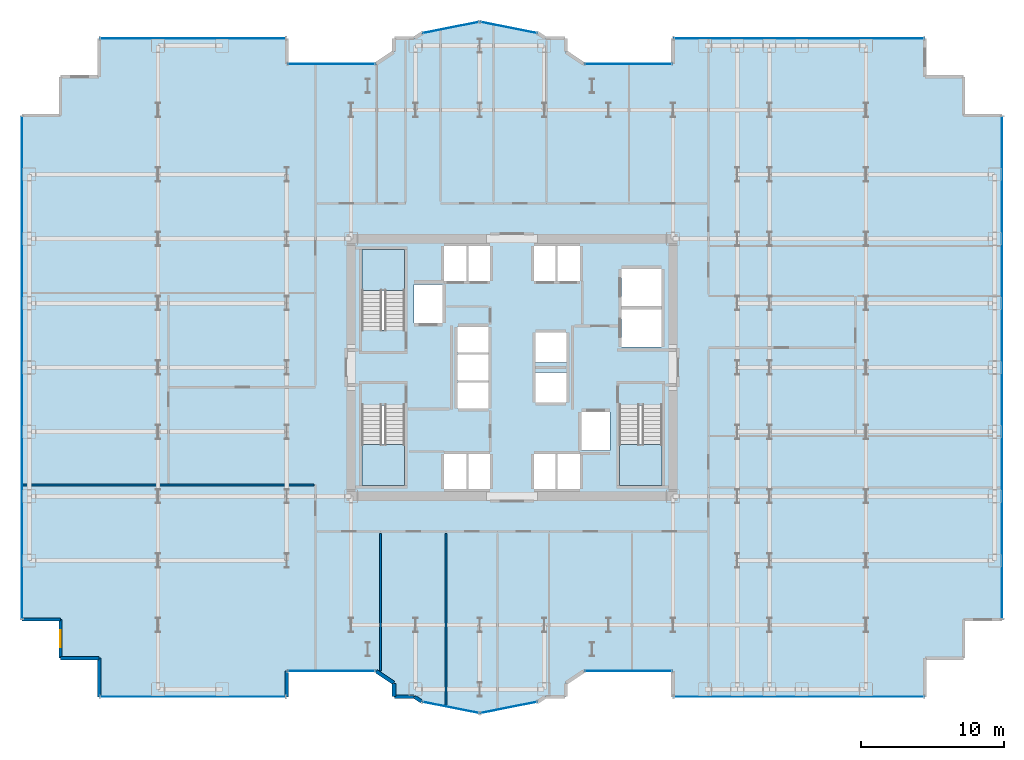
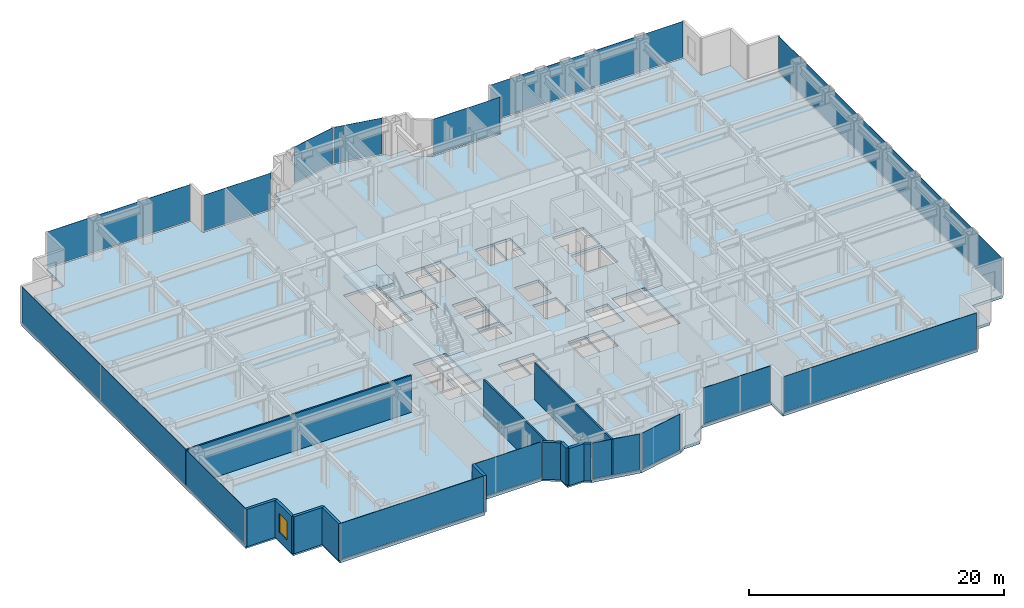
# One storey, part 19 of 26: 14 plates, 12 walls, 4 slabs, 1 window, 1 opening, 17 elements without a shape of their own.
"""IFC4 building model written with IfcOpenShell, lengths in metres."""

from ifc_helpers import new_model, si_unit, direction, frame, frame_2d, origin, origin_2d, place, context, subcontext, project, spatial, polyline, rectangle, outline, extrude, source, transform, mapped, material, layer, layer_set, type_object, element, fill, aggregate, save


model = new_model("IFC4")

# Units and contexts
model_context = context("Model", 3, precision=1e-05, world=origin(), true_north=direction((0.0, 1.0)))
body_context = subcontext(model_context, "Body", "Model", "MODEL_VIEW")
ifc_project = project(units=[si_unit("LENGTHUNIT", "METRE"), si_unit("AREAUNIT", "SQUARE_METRE"), si_unit("VOLUMEUNIT", "CUBIC_METRE"), si_unit("PLANEANGLEUNIT", "RADIAN"), si_unit("MASSUNIT", "GRAM", prefix="KILO")], contexts=[model_context])

# Site, building, storey
site_placement = place(None, origin())
site = spatial("IfcSite", under=ifc_project, at=site_placement, CompositionType="ELEMENT")
building_placement = place(site_placement, origin())
building = spatial("IfcBuilding", under=site, at=building_placement, Name="Nefas-Gora Pilgrimage Tower", CompositionType="ELEMENT")
storey_placement = place(building_placement, frame((0.0, 0.0, 36.800048828125)))
storey = spatial("IfcBuildingStorey", under=building, at=storey_placement, Name="L07", CompositionType="ELEMENT", Elevation=36.800048828125)

# Slab
ifc_material_1 = material(Name="Concrete C40/50", Category="concrete")
ifc_layer_1 = layer(ifc_material_1, 0.25)
ifc_layer_set_1 = layer_set([ifc_layer_1], Name="Concrete C40/50")
slab_type_1 = type_object("IfcSlabType", Name="SLB-TWR-250", PredefinedType="FLOOR", material=ifc_layer_set_1)
slab_1_placement = place(storey_placement, frame((0.0, 0.0, -0.25)))
element("IfcSlab", 1, at=slab_1_placement, inside=storey, type_object=slab_type_1, Name="L07 Structural Floor Slab", PredefinedType="FLOOR", context=body_context, shape_type="SweptSolid", body=[
    extrude(outline(polyline([(5.01806640625, -21.219970703125), (11.25, -21.219970703125), (11.25, -23.02001953125), (28.8701171875, -23.02001953125), (28.8701171875, -20.320068359375), (31.570068359375, -20.320068359375), (31.570068359375, -17.6201171875), (34.27001953125, -17.6201171875), (34.27001953125, 17.6201171875), (31.570068359375, 17.6201171875), (31.570068359375, 20.320068359375), (28.8701171875, 20.320068359375), (28.8701171875, 23.02001953125), (11.25, 23.02001953125), (11.25, 21.219970703125), (5.01806640625, 21.219970703125), (3.75, 22.0673828125), (3.75, 23.02001953125), (2.32421875, 23.02001953125), (1.807373046875, 23.365234375), (-2.25, 24.17236328125), (-6.307373046875, 23.365234375), (-6.82421875, 23.02001953125), (-8.25, 23.02001953125), (-8.25, 22.0673828125), (-9.51806640625, 21.219970703125), (-15.75, 21.219970703125), (-15.75, 23.02001953125), (-28.8701171875, 23.02001953125), (-28.8701171875, 20.320068359375), (-31.570068359375, 20.320068359375), (-31.570068359375, 17.6201171875), (-34.27001953125, 17.6201171875), (-34.27001953125, -17.6201171875), (-31.570068359375, -17.6201171875), (-31.570068359375, -20.320068359375), (-28.8701171875, -20.320068359375), (-28.8701171875, -23.02001953125), (-15.75, -23.02001953125), (-15.75, -21.219970703125), (-9.51806640625, -21.219970703125), (-8.25, -22.0673828125), (-8.25, -23.02001953125), (-6.82421875, -23.02001953125), (-6.307373046875, -23.365234375), (-2.25, -24.17236328125), (1.807373046875, -23.365234375), (2.32421875, -23.02001953125), (3.75, -23.02001953125), (3.75, -22.0673828125), (5.01806640625, -21.219970703125)]), holes=[polyline([(-10.5, 2.639892578125), (-10.5, 8.25), (-7.5, 8.25), (-7.5, 2.639892578125), (-10.5, 2.639892578125)]), polyline([(10.5, -2.639892578125), (10.5, -8.25), (7.5, -8.25), (7.5, -2.639892578125), (10.5, -2.639892578125)]), polyline([(-7.5, -2.639892578125), (-7.5, -8.25), (-10.5, -8.25), (-10.5, -2.639892578125), (-7.5, -2.639892578125)]), polyline([(-6.85009765625, 5.800048828125), (-4.85009765625, 5.800048828125), (-4.85009765625, 3.10009765625), (-6.85009765625, 3.10009765625), (-6.85009765625, 5.800048828125)]), polyline([(4.85009765625, -3.10009765625), (6.85009765625, -3.10009765625), (6.85009765625, -5.800048828125), (4.85009765625, -5.800048828125), (4.85009765625, -3.10009765625)]), polyline([(7.64990234375, 4.050048828125), (10.449951171875, 4.050048828125), (10.449951171875, 1.449951171875), (7.64990234375, 1.449951171875), (7.64990234375, 4.050048828125)]), polyline([(7.64990234375, 6.89990234375), (10.449951171875, 6.89990234375), (10.449951171875, 4.300048828125), (7.64990234375, 4.300048828125), (7.64990234375, 6.89990234375)]), polyline([(-4.75, 8.5), (-3.14990234375, 8.5), (-3.14990234375, 6.050048828125), (-4.75, 6.050048828125), (-4.75, 8.5)]), polyline([(-3.10009765625, 8.5), (-1.550048828125, 8.5), (-1.550048828125, 6.050048828125), (-3.10009765625, 6.050048828125), (-3.10009765625, 8.5)]), polyline([(1.550048828125, 8.5), (3.10009765625, 8.5), (3.10009765625, 6.050048828125), (1.550048828125, 6.050048828125), (1.550048828125, 8.5)]), polyline([(3.14990234375, 8.5), (4.75, 8.5), (4.75, 6.050048828125), (3.14990234375, 6.050048828125), (3.14990234375, 8.5)]), polyline([(-4.75, -6.050048828125), (-3.14990234375, -6.050048828125), (-3.14990234375, -8.5), (-4.75, -8.5), (-4.75, -6.050048828125)]), polyline([(-3.10009765625, -6.050048828125), (-1.550048828125, -6.050048828125), (-1.550048828125, -8.5), (-3.10009765625, -8.5), (-3.10009765625, -6.050048828125)]), polyline([(1.550048828125, -6.050048828125), (3.10009765625, -6.050048828125), (3.10009765625, -8.5), (1.550048828125, -8.5), (1.550048828125, -6.050048828125)]), polyline([(3.14990234375, -6.050048828125), (4.75, -6.050048828125), (4.75, -8.5), (3.14990234375, -8.5), (3.14990234375, -6.050048828125)]), polyline([(-3.800048828125, -1.050048828125), (-1.64990234375, -1.050048828125), (-1.64990234375, -2.85009765625), (-3.800048828125, -2.85009765625), (-3.800048828125, -1.050048828125)]), polyline([(-3.800048828125, 0.89990234375), (-1.64990234375, 0.89990234375), (-1.64990234375, -0.89990234375), (-3.800048828125, -0.89990234375), (-3.800048828125, 0.89990234375)]), polyline([(-3.800048828125, 2.85009765625), (-1.64990234375, 2.85009765625), (-1.64990234375, 1.050048828125), (-3.800048828125, 1.050048828125), (-3.800048828125, 2.85009765625)]), polyline([(1.64990234375, -0.35009765625), (3.800048828125, -0.35009765625), (3.800048828125, -2.449951171875), (1.64990234375, -2.449951171875), (1.64990234375, -0.35009765625)]), polyline([(1.64990234375, 2.449951171875), (3.800048828125, 2.449951171875), (3.800048828125, 0.35009765625), (1.64990234375, 0.35009765625), (1.64990234375, 2.449951171875)])]), origin(), (0.0, 0.0, 1.0), 0.25),
])

# Stair, slab
ifc_material_2 = material(Name="Concrete C45/55", Category="concrete")
stair_type = type_object("IfcStairType", Name="STR-1400-R1727", PredefinedType="HALF_TURN_STAIR", material=ifc_material_2)
stair_1_placement = place(storey_placement, origin())
stair_1 = element("IfcStair", 2, at=stair_1_placement, inside=storey, type_object=stair_type, Name="L07 Pressurised Tower Exit Stair ST-01", PredefinedType="HALF_TURN_STAIR")
ifc_layer_2 = layer(ifc_material_1, 0.199951171875)
ifc_layer_set_2 = layer_set([ifc_layer_2], Name="Concrete C40/50")
slab_type_2 = type_object("IfcSlabType", Name="STR-LAND-200", PredefinedType="LANDING", material=ifc_layer_set_2)
slab_2_placement = place(storey_placement, frame((0.0, 0.0, 1.699951171875)))
slab_2 = element("IfcSlab", 3, at=slab_2_placement, type_object=slab_type_2, Name="ST-01 landing 1", PredefinedType="LANDING", context=body_context, shape_type="SweptSolid", body=[
    extrude(outline(polyline([(-7.5, 5.39990234375), (-7.5, 8.25), (-10.5, 8.25), (-10.5, 5.39990234375), (-7.5, 5.39990234375)])), origin(), (0.0, 0.0, 1.0), 0.199951171875),
])
aggregate(stair_1, [slab_2])

stair_2_placement = place(storey_placement, origin())
stair_2 = element("IfcStair", 4, at=stair_2_placement, inside=storey, type_object=stair_type, Name="L07 Pressurised Tower Exit Stair ST-02", PredefinedType="HALF_TURN_STAIR")
slab_3_placement = place(storey_placement, frame((0.0, 0.0, 1.699951171875)))
slab_3 = element("IfcSlab", 5, at=slab_3_placement, type_object=slab_type_2, Name="ST-02 landing 1", PredefinedType="LANDING", context=body_context, shape_type="SweptSolid", body=[
    extrude(outline(polyline([(7.5, -5.39990234375), (7.5, -8.25), (10.5, -8.25), (10.5, -5.39990234375), (7.5, -5.39990234375)])), origin(), (0.0, 0.0, 1.0), 0.199951171875),
])
aggregate(stair_2, [slab_3])

stair_3_placement = place(storey_placement, origin())
stair_3 = element("IfcStair", 6, at=stair_3_placement, inside=storey, type_object=stair_type, Name="L07 Pressurised Tower Exit Stair ST-03", PredefinedType="HALF_TURN_STAIR")
slab_4_placement = place(storey_placement, frame((0.0, 0.0, 1.699951171875)))
slab_4 = element("IfcSlab", 7, at=slab_4_placement, type_object=slab_type_2, Name="ST-03 landing 1", PredefinedType="LANDING", context=body_context, shape_type="SweptSolid", body=[
    extrude(outline(polyline([(-10.5, -5.39990234375), (-10.5, -8.25), (-7.5, -8.25), (-7.5, -5.39990234375), (-10.5, -5.39990234375)])), origin(), (0.0, 0.0, 1.0), 0.199951171875),
])
aggregate(stair_3, [slab_4])

# Curtain wall, plate
ifc_material_3 = material(Name="Dark ceramic-fritted solar-control aluminium-glass curtain wall", Category="aluminium")
ifc_layer_3 = layer(ifc_material_3, 0.219970703125)
ifc_layer_set_3 = layer_set([ifc_layer_3], Name="Dark ceramic-fritted solar-control aluminium-glass curtain wall")
curtain_wall_type_1 = type_object("IfcCurtainWallType", Name="CW-SYS-5", PredefinedType="NOTDEFINED", material=ifc_layer_set_3)
curtain_wall_1_placement = place(storey_placement, origin())
curtain_wall_1 = element("IfcCurtainWall", 8, at=curtain_wall_1_placement, inside=storey, type_object=curtain_wall_type_1, Name="L07 Unitised Curtain Wall CW5", PredefinedType="NOTDEFINED")
ifc_material_4 = material(Name="Dark ceramic-printed low-e insulated glass", Category="glass")
ifc_layer_4 = layer(ifc_material_4, 0.028076171875)
ifc_layer_set_4 = layer_set([ifc_layer_4], Name="Dark ceramic-printed low-e insulated glass")
plate_type_1 = type_object("IfcPlateType", Name="CWP-PNL-5", PredefinedType="CURTAIN_PANEL", material=ifc_layer_set_4)
shared_shape_1 = source(origin(), body_context, "Body", "SweptSolid", [
    extrude(rectangle(XDim=6.052001953125, YDim=0.028076171875, at=origin_2d()), origin(), (0.0, 0.0, 1.0), 3.43994140625),
])
plate_1_placement = place(storey_placement, frame((8.134033203125, -21.219970703125, 0.10009765625), z_axis=(0.0, 0.0, 1.0), x_axis=(1.0, 0.0, 0.0)))
plate_1 = element("IfcPlate", 9, at=plate_1_placement, type_object=plate_type_1, Name="CW5 Ceramic-Fritted Glazing Panel 1", PredefinedType="CURTAIN_PANEL", context=body_context, shape_type="MappedRepresentation", body=[
    mapped(shared_shape_1, transform((0.0, 0.0, 0.0), x_axis=(1.0, 0.0, 0.0), y_axis=(0.0, 1.0, 0.0), z_axis=(0.0, 0.0, 1.0), scale=1.0)),
])
aggregate(curtain_wall_1, [plate_1])

curtain_wall_2_placement = place(storey_placement, origin())
curtain_wall_2 = element("IfcCurtainWall", 10, at=curtain_wall_2_placement, inside=storey, type_object=curtain_wall_type_1, Name="L07 Unitised Curtain Wall CW5", PredefinedType="NOTDEFINED")
plate_2_placement = place(storey_placement, frame((8.134033203125, 21.219970703125, 0.10009765625), z_axis=(0.0, 0.0, 1.0), x_axis=(-1.0, 0.0, 0.0)))
plate_2 = element("IfcPlate", 11, at=plate_2_placement, type_object=plate_type_1, Name="CW5 Ceramic-Fritted Glazing Panel 1", PredefinedType="CURTAIN_PANEL", context=body_context, shape_type="MappedRepresentation", body=[
    mapped(shared_shape_1, transform((0.0, 0.0, 0.0), x_axis=(1.0, 0.0, 0.0), y_axis=(0.0, 1.0, 0.0), z_axis=(0.0, 0.0, 1.0), scale=1.0)),
])
aggregate(curtain_wall_2, [plate_2])

curtain_wall_3_placement = place(storey_placement, origin())
curtain_wall_3 = element("IfcCurtainWall", 12, at=curtain_wall_3_placement, inside=storey, type_object=curtain_wall_type_1, Name="L07 Unitised Curtain Wall CW5", PredefinedType="NOTDEFINED")
plate_3_placement = place(storey_placement, frame((-12.634033203125, 21.219970703125, 0.10009765625), z_axis=(0.0, 0.0, 1.0), x_axis=(-1.0, 0.0, 0.0)))
plate_3 = element("IfcPlate", 13, at=plate_3_placement, type_object=plate_type_1, Name="CW5 Ceramic-Fritted Glazing Panel 1", PredefinedType="CURTAIN_PANEL", context=body_context, shape_type="MappedRepresentation", body=[
    mapped(shared_shape_1, transform((0.0, 0.0, 0.0), x_axis=(1.0, 0.0, 0.0), y_axis=(0.0, 1.0, 0.0), z_axis=(0.0, 0.0, 1.0), scale=1.0)),
])
aggregate(curtain_wall_3, [plate_3])

curtain_wall_4_placement = place(storey_placement, origin())
curtain_wall_4 = element("IfcCurtainWall", 14, at=curtain_wall_4_placement, inside=storey, type_object=curtain_wall_type_1, Name="L07 Unitised Curtain Wall CW5", PredefinedType="NOTDEFINED")
plate_4_placement = place(storey_placement, frame((-12.634033203125, -21.219970703125, 0.10009765625), z_axis=(0.0, 0.0, 1.0), x_axis=(1.0, 0.0, 0.0)))
plate_4 = element("IfcPlate", 15, at=plate_4_placement, type_object=plate_type_1, Name="CW5 Ceramic-Fritted Glazing Panel 1", PredefinedType="CURTAIN_PANEL", context=body_context, shape_type="MappedRepresentation", body=[
    mapped(shared_shape_1, transform((0.0, 0.0, 0.0), x_axis=(1.0, 0.0, 0.0), y_axis=(0.0, 1.0, 0.0), z_axis=(0.0, 0.0, 1.0), scale=1.0)),
])
aggregate(curtain_wall_4, [plate_4])

ifc_layer_5 = layer(ifc_material_3, 0.219970703125)
ifc_layer_set_5 = layer_set([ifc_layer_5], Name="Dark ceramic-fritted solar-control aluminium-glass curtain wall")
curtain_wall_type_2 = type_object("IfcCurtainWallType", Name="CW-SYS-2", PredefinedType="NOTDEFINED", material=ifc_layer_set_5)
curtain_wall_5_placement = place(storey_placement, origin())
curtain_wall_5 = element("IfcCurtainWall", 16, at=curtain_wall_5_placement, inside=storey, type_object=curtain_wall_type_2, Name="L07 Unitised Curtain Wall CW2", PredefinedType="NOTDEFINED")
ifc_layer_6 = layer(ifc_material_4, 0.031982421875)
ifc_layer_set_6 = layer_set([ifc_layer_6], Name="Dark ceramic-printed low-e insulated glass")
plate_type_2 = type_object("IfcPlateType", Name="CWP-PNL-2", PredefinedType="CURTAIN_PANEL", material=ifc_layer_set_6)
shared_shape_2 = source(origin(), body_context, "Body", "SweptSolid", [
    extrude(rectangle(XDim=17.43994140625, YDim=0.031982421875, at=origin_2d()), origin(), (0.0, 0.0, 1.0), 3.43994140625),
])
plate_5_placement = place(storey_placement, frame((20.06005859375, -23.02001953125, 0.10009765625), z_axis=(0.0, 0.0, 1.0), x_axis=(1.0, 0.0, 0.0)))
plate_5 = element("IfcPlate", 17, at=plate_5_placement, type_object=plate_type_2, Name="CW2 Ceramic-Fritted Glazing Panel 1", PredefinedType="CURTAIN_PANEL", context=body_context, shape_type="MappedRepresentation", body=[
    mapped(shared_shape_2, transform((0.0, 0.0, 0.0), x_axis=(1.0, 0.0, 0.0), y_axis=(0.0, 1.0, 0.0), z_axis=(0.0, 0.0, 1.0), scale=1.0)),
])
aggregate(curtain_wall_5, [plate_5])

curtain_wall_6_placement = place(storey_placement, origin())
curtain_wall_6 = element("IfcCurtainWall", 18, at=curtain_wall_6_placement, inside=storey, type_object=curtain_wall_type_2, Name="L07 Unitised Curtain Wall CW2", PredefinedType="NOTDEFINED")
plate_6_placement = place(storey_placement, frame((20.06005859375, 23.02001953125, 0.10009765625), z_axis=(0.0, 0.0, 1.0), x_axis=(-1.0, 0.0, 0.0)))
plate_6 = element("IfcPlate", 19, at=plate_6_placement, type_object=plate_type_2, Name="CW2 Ceramic-Fritted Glazing Panel 1", PredefinedType="CURTAIN_PANEL", context=body_context, shape_type="MappedRepresentation", body=[
    mapped(shared_shape_2, transform((0.0, 0.0, 0.0), x_axis=(1.0, 0.0, 0.0), y_axis=(0.0, 1.0, 0.0), z_axis=(0.0, 0.0, 1.0), scale=1.0)),
])
aggregate(curtain_wall_6, [plate_6])

curtain_wall_7_placement = place(storey_placement, origin())
curtain_wall_7 = element("IfcCurtainWall", 20, at=curtain_wall_7_placement, inside=storey, type_object=curtain_wall_type_1, Name="L07 Unitised Curtain Wall CW5", PredefinedType="NOTDEFINED")
shared_shape_3 = source(origin(), body_context, "Body", "SweptSolid", [
    extrude(rectangle(XDim=3.956787109375, YDim=0.028076171875, at=origin_2d()), origin(), (0.0, 0.0, 1.0), 3.43994140625),
])
plate_7_placement = place(storey_placement, frame((-0.22119140625, 23.768798828125, 0.10009765625), z_axis=(0.0, 0.0, 1.0), x_axis=(-0.980782896852, 0.195102304554, 0.0)))
plate_7 = element("IfcPlate", 21, at=plate_7_placement, type_object=plate_type_1, Name="CW5 Ceramic-Fritted Glazing Panel 1", PredefinedType="CURTAIN_PANEL", context=body_context, shape_type="MappedRepresentation", body=[
    mapped(shared_shape_3, transform((0.0, 0.0, 0.0), x_axis=(1.0, 0.0, 0.0), y_axis=(0.0, 1.0, 0.0), z_axis=(0.0, 0.0, 1.0), scale=1.0)),
])
aggregate(curtain_wall_7, [plate_7])

curtain_wall_8_placement = place(storey_placement, origin())
curtain_wall_8 = element("IfcCurtainWall", 22, at=curtain_wall_8_placement, inside=storey, type_object=curtain_wall_type_1, Name="L07 Unitised Curtain Wall CW5", PredefinedType="NOTDEFINED")
plate_8_placement = place(storey_placement, frame((-4.278564453125, 23.768798828125, 0.10009765625), z_axis=(0.0, 0.0, 1.0), x_axis=(-0.980782896852, -0.195102304554, 0.0)))
plate_8 = element("IfcPlate", 23, at=plate_8_placement, type_object=plate_type_1, Name="CW5 Ceramic-Fritted Glazing Panel 1", PredefinedType="CURTAIN_PANEL", context=body_context, shape_type="MappedRepresentation", body=[
    mapped(shared_shape_3, transform((0.0, 0.0, 0.0), x_axis=(1.0, 0.0, 0.0), y_axis=(0.0, 1.0, 0.0), z_axis=(0.0, 0.0, 1.0), scale=1.0)),
])
aggregate(curtain_wall_8, [plate_8])

curtain_wall_9_placement = place(storey_placement, origin())
curtain_wall_9 = element("IfcCurtainWall", 24, at=curtain_wall_9_placement, inside=storey, type_object=curtain_wall_type_1, Name="L07 Unitised Curtain Wall CW5", PredefinedType="NOTDEFINED")
plate_9_placement = place(storey_placement, frame((-4.278564453125, -23.768798828125, 0.10009765625), z_axis=(0.0, 0.0, 1.0), x_axis=(0.980782896852, -0.195102304554, 0.0)))
plate_9 = element("IfcPlate", 25, at=plate_9_placement, type_object=plate_type_1, Name="CW5 Ceramic-Fritted Glazing Panel 1", PredefinedType="CURTAIN_PANEL", context=body_context, shape_type="MappedRepresentation", body=[
    mapped(shared_shape_3, transform((0.0, 0.0, 0.0), x_axis=(1.0, 0.0, 0.0), y_axis=(0.0, 1.0, 0.0), z_axis=(0.0, 0.0, 1.0), scale=1.0)),
])
aggregate(curtain_wall_9, [plate_9])

curtain_wall_10_placement = place(storey_placement, origin())
curtain_wall_10 = element("IfcCurtainWall", 26, at=curtain_wall_10_placement, inside=storey, type_object=curtain_wall_type_1, Name="L07 Unitised Curtain Wall CW5", PredefinedType="NOTDEFINED")
plate_10_placement = place(storey_placement, frame((-0.221435546875, -23.768798828125, 0.10009765625), z_axis=(0.0, 0.0, 1.0), x_axis=(0.980782896852, 0.195102304554, 0.0)))
plate_10 = element("IfcPlate", 27, at=plate_10_placement, type_object=plate_type_1, Name="CW5 Ceramic-Fritted Glazing Panel 1", PredefinedType="CURTAIN_PANEL", context=body_context, shape_type="MappedRepresentation", body=[
    mapped(shared_shape_3, transform((0.0, 0.0, 0.0), x_axis=(1.0, 0.0, 0.0), y_axis=(0.0, 1.0, 0.0), z_axis=(0.0, 0.0, 1.0), scale=1.0)),
])
aggregate(curtain_wall_10, [plate_10])

curtain_wall_11_placement = place(storey_placement, origin())
curtain_wall_11 = element("IfcCurtainWall", 28, at=curtain_wall_11_placement, inside=storey, type_object=curtain_wall_type_2, Name="L07 Unitised Curtain Wall CW2", PredefinedType="NOTDEFINED")
shared_shape_4 = source(origin(), body_context, "Body", "SweptSolid", [
    extrude(rectangle(XDim=12.93994140625, YDim=0.031982421875, at=origin_2d()), origin(), (0.0, 0.0, 1.0), 3.43994140625),
])
plate_11_placement = place(storey_placement, frame((-22.31005859375, 23.02001953125, 0.10009765625), z_axis=(0.0, 0.0, 1.0), x_axis=(-1.0, 0.0, 0.0)))
plate_11 = element("IfcPlate", 29, at=plate_11_placement, type_object=plate_type_2, Name="CW2 Ceramic-Fritted Glazing Panel 1", PredefinedType="CURTAIN_PANEL", context=body_context, shape_type="MappedRepresentation", body=[
    mapped(shared_shape_4, transform((0.0, 0.0, 0.0), x_axis=(1.0, 0.0, 0.0), y_axis=(0.0, 1.0, 0.0), z_axis=(0.0, 0.0, 1.0), scale=1.0)),
])
aggregate(curtain_wall_11, [plate_11])

curtain_wall_12_placement = place(storey_placement, origin())
curtain_wall_12 = element("IfcCurtainWall", 30, at=curtain_wall_12_placement, inside=storey, type_object=curtain_wall_type_2, Name="L07 Unitised Curtain Wall CW2", PredefinedType="NOTDEFINED")
plate_12_placement = place(storey_placement, frame((-22.31005859375, -23.02001953125, 0.10009765625), z_axis=(0.0, 0.0, 1.0), x_axis=(1.0, 0.0, 0.0)))
plate_12 = element("IfcPlate", 31, at=plate_12_placement, type_object=plate_type_2, Name="CW2 Ceramic-Fritted Glazing Panel 1", PredefinedType="CURTAIN_PANEL", context=body_context, shape_type="MappedRepresentation", body=[
    mapped(shared_shape_4, transform((0.0, 0.0, 0.0), x_axis=(1.0, 0.0, 0.0), y_axis=(0.0, 1.0, 0.0), z_axis=(0.0, 0.0, 1.0), scale=1.0)),
])
aggregate(curtain_wall_12, [plate_12])

curtain_wall_13_placement = place(storey_placement, origin())
curtain_wall_13 = element("IfcCurtainWall", 32, at=curtain_wall_13_placement, inside=storey, type_object=curtain_wall_type_2, Name="L07 Unitised Curtain Wall CW2", PredefinedType="NOTDEFINED")
shared_shape_5 = source(origin(), body_context, "Body", "SweptSolid", [
    extrude(rectangle(XDim=35.06005859375, YDim=0.031982421875, at=origin_2d()), origin(), (0.0, 0.0, 1.0), 3.43994140625),
])
plate_13_placement = place(storey_placement, frame((34.27001953125, 0.0, 0.10009765625), z_axis=(0.0, 0.0, 1.0), x_axis=(0.0, 1.0, 0.0)))
plate_13 = element("IfcPlate", 33, at=plate_13_placement, type_object=plate_type_2, Name="CW2 Ceramic-Fritted Glazing Panel 1", PredefinedType="CURTAIN_PANEL", context=body_context, shape_type="MappedRepresentation", body=[
    mapped(shared_shape_5, transform((0.0, 0.0, 0.0), x_axis=(1.0, 0.0, 0.0), y_axis=(0.0, 1.0, 0.0), z_axis=(0.0, 0.0, 1.0), scale=1.0)),
])
aggregate(curtain_wall_13, [plate_13])

curtain_wall_14_placement = place(storey_placement, origin())
curtain_wall_14 = element("IfcCurtainWall", 34, at=curtain_wall_14_placement, inside=storey, type_object=curtain_wall_type_2, Name="L07 Unitised Curtain Wall CW2", PredefinedType="NOTDEFINED")
plate_14_placement = place(storey_placement, frame((-34.27001953125, 0.0, 0.10009765625), z_axis=(0.0, 0.0, 1.0), x_axis=(0.0, -1.0, 0.0)))
plate_14 = element("IfcPlate", 35, at=plate_14_placement, type_object=plate_type_2, Name="CW2 Ceramic-Fritted Glazing Panel 1", PredefinedType="CURTAIN_PANEL", context=body_context, shape_type="MappedRepresentation", body=[
    mapped(shared_shape_5, transform((0.0, 0.0, 0.0), x_axis=(1.0, 0.0, 0.0), y_axis=(0.0, 1.0, 0.0), z_axis=(0.0, 0.0, 1.0), scale=1.0)),
])
aggregate(curtain_wall_14, [plate_14])

# Walls
ifc_material_5 = material(Name="Precast concrete C40/50", Category="concrete")
ifc_layer_7 = layer(ifc_material_5, 0.260009765625)
ifc_layer_set_7 = layer_set([ifc_layer_7], Name="Precast concrete C40/50")
wall_type_1 = type_object("IfcWallType", Name="EW-PORTAL-260", PredefinedType="SOLIDWALL", material=ifc_layer_set_7)
shared_shape_6 = source(origin(), body_context, "Body", "SweptSolid", [
    extrude(rectangle(XDim=1.800048828125, YDim=0.260009765625, at=frame_2d((0.89990234375, 0.0))), origin(), (0.0, 0.0, 1.0), 3.550048828125),
])
wall_1_placement = place(storey_placement, frame((-15.75, -23.02001953125, 0.0), z_axis=(0.0, 0.0, 1.0), x_axis=(0.0, 1.0, 0.0)))
element("IfcWall", 36, at=wall_1_placement, inside=storey, type_object=wall_type_1, Name="L07 Lobe Shoulder Precast Spandrel Pier 28", PredefinedType="SOLIDWALL", context=body_context, shape_type="MappedRepresentation", body=[
    mapped(shared_shape_6, transform((0.0, 0.0, 0.0), x_axis=(1.0, 0.0, 0.0), y_axis=(0.0, 1.0, 0.0), z_axis=(0.0, 0.0, 1.0), scale=1.0)),
])
ifc_material_6 = material(Name="Precast concrete C45/55", Category="concrete")
ifc_layer_8 = layer(ifc_material_6, 0.239990234375)
ifc_layer_set_8 = layer_set([ifc_layer_8], Name="Precast concrete C45/55")
wall_type_2 = type_object("IfcWallType", Name="EW-SERR-240", PredefinedType="SHEAR", material=ifc_layer_set_8)
shared_shape_7 = source(origin(), body_context, "Body", "SweptSolid", [
    extrude(rectangle(XDim=2.699951171875, YDim=0.239990234375, at=frame_2d((1.35009765625, 0.0))), origin(), (0.0, 0.0, 1.0), 3.550048828125),
])
wall_2_placement = place(storey_placement, frame((-34.27001953125, -17.6201171875, 0.0), z_axis=(0.0, 0.0, 1.0), x_axis=(1.0, 0.0, 0.0)))
element("IfcWall", 37, at=wall_2_placement, inside=storey, type_object=wall_type_2, Name="L07 Serrated Corner Shear Pier Wall 24", PredefinedType="SHEAR", context=body_context, shape_type="MappedRepresentation", body=[
    mapped(shared_shape_7, transform((0.0, 0.0, 0.0), x_axis=(1.0, 0.0, 0.0), y_axis=(0.0, 1.0, 0.0), z_axis=(0.0, 0.0, 1.0), scale=1.0)),
])

# Wall, opening, window
wall_3_placement = place(storey_placement, frame((-31.570068359375, -17.6201171875, 0.0), z_axis=(0.0, 0.0, 1.0), x_axis=(0.0, -1.0, 0.0)))
wall_3 = element("IfcWall", 38, at=wall_3_placement, inside=storey, type_object=wall_type_2, Name="L07 Serrated Corner Shear Pier Wall 25", PredefinedType="SHEAR", context=body_context, shape_type="MappedRepresentation", body=[
    mapped(shared_shape_7, transform((0.0, 0.0, 0.0), x_axis=(1.0, 0.0, 0.0), y_axis=(0.0, 1.0, 0.0), z_axis=(0.0, 0.0, 1.0), scale=1.0)),
])
opening_placement = place(wall_3_placement, frame((0.75, 0.0, 0.85009765625)))
opening = element("IfcOpeningElement", 39, at=opening_placement, cuts=wall_3, Name="Opening W-V1", PredefinedType="OPENING", context=body_context, shape_type="SweptSolid", body=[
    extrude(rectangle(XDim=1.199951171875, YDim=1.800048828125, at=frame_2d((0.60009765625, 0.89990234375))), frame((0.0, 0.1298828125, 0.0), z_axis=(0.0, -1.0, 0.0), x_axis=(1.0, 0.0, 0.0)), (0.0, 0.0, 1.0), 0.260009765625),
])
ifc_material_7 = material(Name="Dark ceramic-fritted operable aluminium-glass window", Category="aluminium")
window_type = type_object("IfcWindowType", Name="WIN-VENT-1200x1800", PartitioningType="SINGLE_PANEL", PredefinedType="WINDOW", material=ifc_material_7)
shared_shape_8 = source(origin(), body_context, "Body", "SweptSolid", [
    extrude(rectangle(XDim=1.199951171875, YDim=1.800048828125, at=frame_2d((0.60009765625, 0.89990234375))), frame((0.0, 0.030029296875, 0.0), z_axis=(0.0, -1.0, 0.0), x_axis=(1.0, 0.0, 0.0)), (0.0, 0.0, 1.0), 0.06005859375),
])
window_placement = place(opening_placement, origin())
window = element("IfcWindow", 40, at=window_placement, inside=storey, type_object=window_type, Name="L07 Operable Parallel-Outswing Window 25", OverallHeight=1.800048828125, OverallWidth=1.199951171875, PartitioningType="SINGLE_PANEL", PredefinedType="WINDOW", context=body_context, shape_type="MappedRepresentation", body=[
    mapped(shared_shape_8, transform((0.0, 0.0, 0.0), x_axis=(1.0, 0.0, 0.0), y_axis=(0.0, 1.0, 0.0), z_axis=(0.0, 0.0, 1.0), scale=1.0)),
])
fill(opening, window)

# Walls
for number, where, z_axis, x_axis, name in (
    (41, (-31.570068359375, -20.320068359375, 0.0), (0.0, 0.0, 1.0), (1.0, 0.0, 0.0), "L07 Serrated Corner Shear Pier Wall 26"),
    (42, (-28.8701171875, -20.320068359375, 0.0), (0.0, 0.0, 1.0), (0.0, -1.0, 0.0), "L07 Serrated Corner Shear Pier Wall 27"),
):
    element("IfcWall", number, at=place(storey_placement, frame(where, z_axis=z_axis, x_axis=x_axis)), inside=storey, type_object=wall_type_2, Name=name, PredefinedType="SHEAR", context=body_context, shape_type="MappedRepresentation", body=[
        mapped(shared_shape_7, transform((0.0, 0.0, 0.0), x_axis=(1.0, 0.0, 0.0), y_axis=(0.0, 1.0, 0.0), z_axis=(0.0, 0.0, 1.0), scale=1.0)),
    ])
shared_shape_9 = source(origin(), body_context, "Body", "SweptSolid", [
    extrude(rectangle(XDim=1.468994140625, YDim=0.260009765625, at=frame_2d((0.734375, 0.0))), origin(), (0.0, 0.0, 1.0), 3.550048828125),
])
wall_4_placement = place(storey_placement, frame((-9.49462890625, -21.235595703125, 0.0), z_axis=(0.0, 0.0, 1.0), x_axis=(0.831461760506, -0.555581983884, 0.0)))
element("IfcWall", 43, at=wall_4_placement, inside=storey, type_object=wall_type_1, Name="L07 Lobe Shoulder Precast Spandrel Pier 29", PredefinedType="SOLIDWALL", context=body_context, shape_type="MappedRepresentation", body=[
    mapped(shared_shape_9, transform((0.0, 0.0, 0.0), x_axis=(1.0, 0.0, 0.0), y_axis=(0.0, 1.0, 0.0), z_axis=(0.0, 0.0, 1.0), scale=1.0)),
])
shared_shape_10 = source(origin(), body_context, "Body", "SweptSolid", [
    extrude(rectangle(XDim=0.896728515625, YDim=0.260009765625, at=frame_2d((0.4482421875, 0.0))), origin(), (0.0, 0.0, 1.0), 3.550048828125),
])
wall_5_placement = place(storey_placement, frame((-8.25, -22.09521484375, 0.0), z_axis=(0.0, 0.0, 1.0), x_axis=(0.0, -1.0, 0.0)))
element("IfcWall", 44, at=wall_5_placement, inside=storey, type_object=wall_type_1, Name="L07 Lobe Shoulder Precast Spandrel Pier 30", PredefinedType="SOLIDWALL", context=body_context, shape_type="MappedRepresentation", body=[
    mapped(shared_shape_10, transform((0.0, 0.0, 0.0), x_axis=(1.0, 0.0, 0.0), y_axis=(0.0, 1.0, 0.0), z_axis=(0.0, 0.0, 1.0), scale=1.0)),
])
shared_shape_11 = source(origin(), body_context, "Body", "SweptSolid", [
    extrude(rectangle(XDim=1.369873046875, YDim=0.260009765625, at=frame_2d((0.68505859375, 0.0))), origin(), (0.0, 0.0, 1.0), 3.550048828125),
])
wall_6_placement = place(storey_placement, frame((-8.221923828125, -23.02001953125, 0.0), z_axis=(0.0, 0.0, 1.0), x_axis=(1.0, 0.0, 0.0)))
element("IfcWall", 45, at=wall_6_placement, inside=storey, type_object=wall_type_1, Name="L07 Lobe Shoulder Precast Spandrel Pier 31", PredefinedType="SOLIDWALL", context=body_context, shape_type="MappedRepresentation", body=[
    mapped(shared_shape_11, transform((0.0, 0.0, 0.0), x_axis=(1.0, 0.0, 0.0), y_axis=(0.0, 1.0, 0.0), z_axis=(0.0, 0.0, 1.0), scale=1.0)),
])
shared_shape_12 = source(origin(), body_context, "Body", "SweptSolid", [
    extrude(rectangle(XDim=0.5654296875, YDim=0.260009765625, at=frame_2d((0.28271484375, 0.0))), origin(), (0.0, 0.0, 1.0), 3.550048828125),
])
wall_7_placement = place(storey_placement, frame((-6.80078125, -23.03564453125, 0.0), z_axis=(0.0, 0.0, 1.0), x_axis=(0.831651492666, -0.555297933317, 0.0)))
element("IfcWall", 46, at=wall_7_placement, inside=storey, type_object=wall_type_1, Name="L07 Lobe Shoulder Precast Spandrel Pier 32", PredefinedType="SOLIDWALL", context=body_context, shape_type="MappedRepresentation", body=[
    mapped(shared_shape_12, transform((0.0, 0.0, 0.0), x_axis=(1.0, 0.0, 0.0), y_axis=(0.0, 1.0, 0.0), z_axis=(0.0, 0.0, 1.0), scale=1.0)),
])
ifc_material_8 = material(Name="Gypsum twin-stud partition")
ifc_layer_9 = layer(ifc_material_8, 0.139892578125)
ifc_layer_set_9 = layer_set([ifc_layer_9], Name="Gypsum twin-stud partition")
wall_type_3 = type_object("IfcWallType", Name="IW-UNIT-140", PredefinedType="PARTITIONING", material=ifc_layer_set_9)
shared_shape_13 = source(origin(), body_context, "Body", "SweptSolid", [
    extrude(rectangle(XDim=9.636962890625, YDim=0.139892578125, at=frame_2d((4.818359375, 0.0))), origin(), (0.0, 0.0, 1.0), 3.534912109375),
])
wall_8_placement = place(storey_placement, frame((-9.205078125, -21.22705078125, 0.0), z_axis=(0.0, 0.0, 1.0), x_axis=(0.0, 1.0, 0.0)))
element("IfcWall", 47, at=wall_8_placement, inside=storey, type_object=wall_type_3, Name="L07 Pilgrim Contemplative Lounge Partition Wall 52", PredefinedType="PARTITIONING", context=body_context, shape_type="MappedRepresentation", body=[
    mapped(shared_shape_13, transform((0.0, 0.0, 0.0), x_axis=(1.0, 0.0, 0.0), y_axis=(0.0, 1.0, 0.0), z_axis=(0.0, 0.0, 1.0), scale=1.0)),
])
shared_shape_14 = source(origin(), body_context, "Body", "SweptSolid", [
    extrude(rectangle(XDim=12.13623046875, YDim=0.139892578125, at=frame_2d((6.068115234375, 0.0))), origin(), (0.0, 0.0, 1.0), 3.534912109375),
])
wall_9_placement = place(storey_placement, frame((-4.60498046875, -23.726318359375, 0.0), z_axis=(0.0, 0.0, 1.0), x_axis=(0.0, 1.0, 0.0)))
element("IfcWall", 48, at=wall_9_placement, inside=storey, type_object=wall_type_3, Name="L07 Pilgrim Contemplative Lounge Partition Wall 54", PredefinedType="PARTITIONING", context=body_context, shape_type="MappedRepresentation", body=[
    mapped(shared_shape_14, transform((0.0, 0.0, 0.0), x_axis=(1.0, 0.0, 0.0), y_axis=(0.0, 1.0, 0.0), z_axis=(0.0, 0.0, 1.0), scale=1.0)),
])
shared_shape_15 = source(origin(), body_context, "Body", "SweptSolid", [
    extrude(rectangle(XDim=20.429931640625, YDim=0.139892578125, at=frame_2d((10.21484375, 0.0))), origin(), (0.0, 0.0, 1.0), 3.534912109375),
])
wall_10_placement = place(storey_placement, frame((-34.2900390625, -8.205078125, 0.0), z_axis=(0.0, 0.0, 1.0), x_axis=(1.0, 0.0, 0.0)))
element("IfcWall", 49, at=wall_10_placement, inside=storey, type_object=wall_type_3, Name="L07 Pilgrim Tea and Beverage Pantry Partition Wall 24", PredefinedType="PARTITIONING", context=body_context, shape_type="MappedRepresentation", body=[
    mapped(shared_shape_15, transform((0.0, 0.0, 0.0), x_axis=(1.0, 0.0, 0.0), y_axis=(0.0, 1.0, 0.0), z_axis=(0.0, 0.0, 1.0), scale=1.0)),
])

save(model, "model.ifc")
